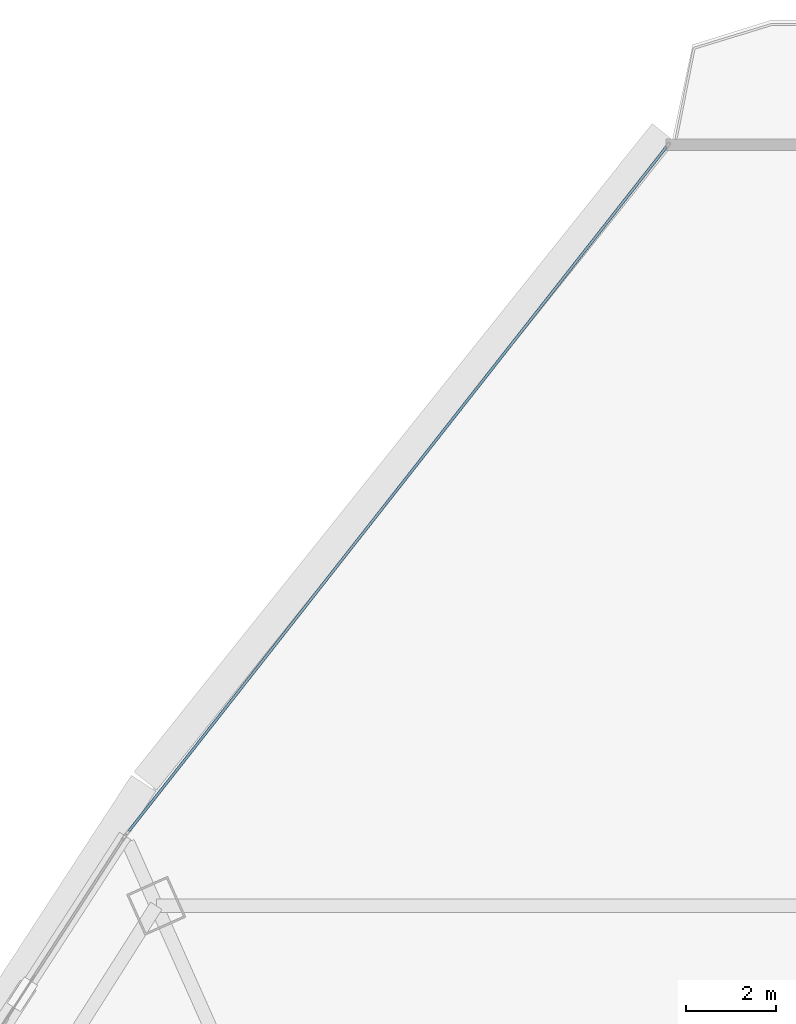
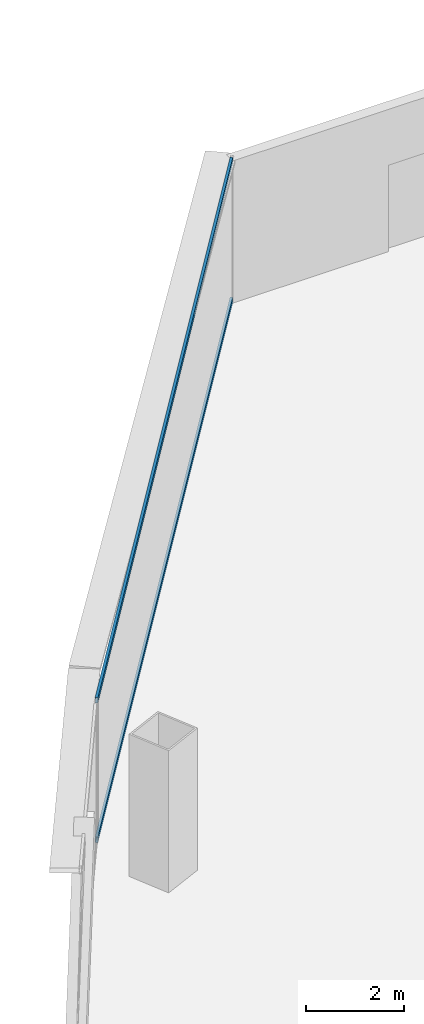
# One storey, part 25 of 36: 2 members, 1 element without a shape of its own.
"""IFC4 building model written with IfcOpenShell, lengths in metres."""

import ifcopenshell
import ifcopenshell.guid

model = None  # the IFC model being written
_history = None  # IfcOwnerHistory: only IFC2X3 demands one
_inside = {}  # id of a spatial element -> (the spatial element, [elements in it])
_under = {}  # id of a project, library or spatial element -> (it, [spatial elements below it])
_declared = {}  # id of a project -> (the project, [libraries it declares])
_typed = {}  # id of a type object -> (the type object, [elements of that type])
_made_of = {}  # id of a material, layer set ... -> (it, [elements and type objects made of it])


def new_model(schema):
    """Start an empty IFC model of exactly this schema.

    Asked for "IFC4X3", IfcOpenShell would pick the latest addendum, in which some entities
    have other attributes; the version numbers below select the first issue.
    IFC2X3 requires an IfcOwnerHistory on every rooted entity: one is made here for all.
    """
    global model, _history
    if schema == "IFC4X3":
        model = ifcopenshell.file(schema_version=(4, 3, 0, 0))
    else:
        model = ifcopenshell.file(schema=schema)
    _inside.clear()
    _under.clear()
    _declared.clear()
    _typed.clear()
    _made_of.clear()
    _history = None
    if model.schema == "IFC2X3":
        org = make("IfcOrganization", Name="unknown")
        user = make(
            "IfcPersonAndOrganization",
            ThePerson=make("IfcPerson", FamilyName="unknown"),
            TheOrganization=org,
        )
        app = make(
            "IfcApplication",
            ApplicationDeveloper=org,
            Version="unknown",
            ApplicationFullName="unknown",
            ApplicationIdentifier="unknown",
        )
        _history = make(
            "IfcOwnerHistory",
            OwningUser=user,
            OwningApplication=app,
            ChangeAction="ADDED",
            CreationDate=0,
        )
    return model


def make(cls, **values):
    """One entity of the class cls with the attributes given. An attribute that is None is left unset."""
    return model.create_entity(
        cls, **{name: value for name, value in values.items() if value is not None}
    )


def rooted(cls, **values):
    """An entity with a GlobalId (a new one), such as an element, a storey or a relation."""
    return make(cls, GlobalId=ifcopenshell.guid.new(), OwnerHistory=_history, **values)


def si_unit(unit_type, name, prefix=None):
    """IfcSIUnit, for example si_unit("LENGTHUNIT", "METRE", prefix="MILLI")."""
    return make("IfcSIUnit", UnitType=unit_type, Prefix=prefix, Name=name)


def assignment(units):
    """IfcUnitAssignment: the units of a project."""
    return None if units is None else make("IfcUnitAssignment", Units=units)


def point(xyz):
    """IfcCartesianPoint."""
    return None if xyz is None else make("IfcCartesianPoint", Coordinates=xyz)


def direction(xyz):
    """IfcDirection."""
    return None if xyz is None else make("IfcDirection", DirectionRatios=xyz)


def frame(location, z_axis=None, x_axis=None):
    """IfcAxis2Placement3D, a coordinate frame: its origin and axes. An axis left out is left unset."""
    return make(
        "IfcAxis2Placement3D",
        Location=point(location),
        Axis=direction(z_axis),
        RefDirection=direction(x_axis),
    )


def frame_2d(location, x_axis=None):
    """IfcAxis2Placement2D, a coordinate frame in the plane: its origin and x axis."""
    return make(
        "IfcAxis2Placement2D", Location=point(location), RefDirection=direction(x_axis)
    )


def origin():
    """The frame at (0, 0, 0) with its axes left unset."""
    return frame((0.0, 0.0, 0.0))


def origin_2d():
    """The frame at (0, 0) in the plane with its x axis left unset."""
    return frame_2d((0.0, 0.0))


def place(relative_to, where):
    """IfcLocalPlacement: puts the frame where relative to a parent placement (None: the world)."""
    return make(
        "IfcLocalPlacement", PlacementRelTo=relative_to, RelativePlacement=where
    )


def context(
    kind, dimensions, precision=None, world=None, true_north=None, identifier=None
):
    """IfcGeometricRepresentationContext, for example the 3D "Model" context."""
    return make(
        "IfcGeometricRepresentationContext",
        ContextIdentifier=identifier,
        ContextType=kind,
        CoordinateSpaceDimension=dimensions,
        Precision=precision,
        WorldCoordinateSystem=world,
        TrueNorth=true_north,
    )


def subcontext(parent, identifier, kind, view, scale=None):
    """IfcGeometricRepresentationSubContext, for example "Body" below "Model"."""
    return make(
        "IfcGeometricRepresentationSubContext",
        ContextIdentifier=identifier,
        ContextType=kind,
        ParentContext=parent,
        TargetScale=scale,
        TargetView=view,
    )


def project(units=None, contexts=None):
    """IfcProject with its units and contexts."""
    return rooted(
        "IfcProject",
        Name="project",
        RepresentationContexts=contexts,
        UnitsInContext=assignment(units),
    )


def spatial(cls, under=None, at=None, **own):
    """A site, building, storey or space (cls), placed at a placement, below another one or the project."""
    s = rooted(cls, ObjectPlacement=at, **own)
    if under is not None:
        _under.setdefault(under.id(), (under, []))[1].append(s)
    return s


def profile(cls, at=None, kind="AREA", **sizes):
    """A parametric profile (cls). Its sizes go by their IFC names, for example OverallWidth=200.0."""
    return make(cls, ProfileType=kind, Position=at, **sizes)


def hollow_rectangle(**sizes):
    """IfcRectangleHollowProfileDef."""
    return profile("IfcRectangleHollowProfileDef", **sizes)


def extrude(swept, where, along, depth):
    """IfcExtrudedAreaSolid: the profile swept, set in the frame where, extruded along a direction by depth."""
    return make(
        "IfcExtrudedAreaSolid",
        SweptArea=swept,
        Position=where,
        ExtrudedDirection=direction(along),
        Depth=depth,
    )


def shape(context_of_items, identifier, shape_type, items):
    """IfcShapeRepresentation: the items that make up one representation, for example the "Body"."""
    return make(
        "IfcShapeRepresentation",
        ContextOfItems=context_of_items,
        RepresentationIdentifier=identifier,
        RepresentationType=shape_type,
        Items=items,
    )


def source(mapping_origin, context_of_items, identifier, shape_type, items):
    """IfcRepresentationMap: a shape defined once, which mapped items show again and again."""
    return make(
        "IfcRepresentationMap",
        MappingOrigin=mapping_origin,
        MappedRepresentation=shape(context_of_items, identifier, shape_type, items),
    )


def transform(
    local_origin,
    x_axis=None,
    y_axis=None,
    z_axis=None,
    scale=None,
    scale2=None,
    scale3=None,
    uniform=True,
):
    """IfcCartesianTransformationOperator3D, or its non-uniform kind. x_axis, y_axis, z_axis: its Axis1, 2, 3."""
    if uniform:
        return make(
            "IfcCartesianTransformationOperator3D",
            Axis1=direction(x_axis),
            Axis2=direction(y_axis),
            LocalOrigin=point(local_origin),
            Scale=scale,
            Axis3=direction(z_axis),
        )
    return make(
        "IfcCartesianTransformationOperator3DnonUniform",
        Axis1=direction(x_axis),
        Axis2=direction(y_axis),
        LocalOrigin=point(local_origin),
        Scale=scale,
        Axis3=direction(z_axis),
        Scale2=scale2,
        Scale3=scale3,
    )


def mapped(mapping_source, mapping_target):
    """IfcMappedItem: shows the shape of a source again, moved by a transform."""
    return make(
        "IfcMappedItem", MappingSource=mapping_source, MappingTarget=mapping_target
    )


def material(Name=None, Category=None):
    """IfcMaterial."""
    return make("IfcMaterial", Name=Name, Category=Category)


def layer(
    of_material, thickness, ventilated=None, Name=None, Category=None, Priority=None
):
    """IfcMaterialLayer: one layer of a wall or slab, of a material (None: an air gap)."""
    return make(
        "IfcMaterialLayer",
        Material=of_material,
        LayerThickness=thickness,
        IsVentilated=ventilated,
        Name=Name,
        Category=Category,
        Priority=Priority,
    )


def layer_set(layers, Name=None):
    """IfcMaterialLayerSet."""
    return make("IfcMaterialLayerSet", MaterialLayers=layers, LayerSetName=Name)


def material_profile(
    of_material, cross_section, Name=None, Category=None, Priority=None
):
    """IfcMaterialProfile: a cross section and its material."""
    return make(
        "IfcMaterialProfile",
        Name=Name,
        Material=of_material,
        Profile=cross_section,
        Priority=Priority,
        Category=Category,
    )


def profile_set(profiles, Name=None, composite=None):
    """IfcMaterialProfileSet."""
    return make(
        "IfcMaterialProfileSet",
        Name=Name,
        MaterialProfiles=profiles,
        CompositeProfile=composite,
    )


def made_of(thing, what):
    """Note that an element or type object is made of a material, layer set ...; save() writes the relation."""
    if what is not None:
        _made_of.setdefault(what.id(), (what, []))[1].append(thing)
    return thing


def type_object(cls, material=None, **own):
    """A type object (cls), such as IfcWallType, which elements share."""
    return made_of(rooted(cls, **own), material)


def element(
    cls,
    number,
    at=None,
    inside=None,
    cuts=None,
    type_object=None,
    material=None,
    context=None,
    identifier="Body",
    shape_type=None,
    held_by="IfcProductDefinitionShape",
    body=None,
    shapes=None,
    **own,
):
    """One element of the class cls, such as IfcWall. Its Tag is "e" and its number.

    at: its placement. inside: the storey or other place that contains it. cuts: it is an
    opening in that element (IfcRelVoidsElement). A single representation is given by context,
    identifier, shape_type and body (its items); several are given by shapes. held_by: the class
    of the entity that holds the representations. save() writes the other relations.
    """
    e = rooted(cls, Tag="e%d" % number, ObjectPlacement=at, **own)
    if body is not None:
        shapes = [shape(context, identifier, shape_type, body)]
    if shapes is not None:
        e.Representation = make(held_by, Representations=shapes)
    if inside is not None:
        _inside.setdefault(inside.id(), (inside, []))[1].append(e)
    if cuts is not None:
        rooted(
            "IfcRelVoidsElement", RelatingBuildingElement=cuts, RelatedOpeningElement=e
        )
    if type_object is not None:
        _typed.setdefault(type_object.id(), (type_object, []))[1].append(e)
    return made_of(e, material)


def aggregate(whole, parts):
    """IfcRelAggregates: a whole, such as a stair, and the parts it consists of."""
    return rooted("IfcRelAggregates", RelatingObject=whole, RelatedObjects=parts)


def save(model, path):
    """Write the relations noted so far, then the file.

    IfcRelAggregates (storeys below a building ...), IfcRelContainedInSpatialStructure (elements
    in a storey), IfcRelDefinesByType, IfcRelAssociatesMaterial and IfcRelDeclares: one each for
    every whole, place, type object, material and project.
    """
    for whole, parts in _under.values():
        aggregate(whole, parts)
    for where, things in _inside.values():
        rooted(
            "IfcRelContainedInSpatialStructure",
            RelatedElements=things,
            RelatingStructure=where,
        )
    for kind, things in _typed.values():
        rooted("IfcRelDefinesByType", RelatedObjects=things, RelatingType=kind)
    for what, things in _made_of.values():
        rooted("IfcRelAssociatesMaterial", RelatedObjects=things, RelatingMaterial=what)
    for by, libraries in _declared.values():
        rooted("IfcRelDeclares", RelatingContext=by, RelatedDefinitions=libraries)
    model.write(path)


model = new_model("IFC4")

# Units and contexts
model_context = context("Model", 3, precision=1e-05, world=origin(), true_north=direction((0.0, 1.0)))
body_context = subcontext(model_context, "Body", "Model", "MODEL_VIEW")
ifc_project = project(units=[si_unit("LENGTHUNIT", "METRE"), si_unit("AREAUNIT", "SQUARE_METRE"), si_unit("VOLUMEUNIT", "CUBIC_METRE"), si_unit("PLANEANGLEUNIT", "RADIAN"), si_unit("MASSUNIT", "GRAM", prefix="KILO"), si_unit("THERMODYNAMICTEMPERATUREUNIT", "KELVIN"), si_unit("POWERUNIT", "WATT")], contexts=[model_context])

# Site, building, storey
site_placement = place(None, origin())
site = spatial("IfcSite", under=ifc_project, at=site_placement, CompositionType="ELEMENT")
building_placement = place(site_placement, origin())
building = spatial("IfcBuilding", under=site, at=building_placement, Name="Yunzhuo Pagoda Commons", CompositionType="ELEMENT")
storey_placement = place(building_placement, frame((0.0, 0.0, 103.97998046875)))
storey = spatial("IfcBuildingStorey", under=building, at=storey_placement, Name="L26", CompositionType="ELEMENT", Elevation=103.97998046875)

# Curtain wall, members
ifc_material = material(Name="Anodized aluminium 6063-T6", Category="aluminium")
ifc_layer = layer(ifc_material, 0.1650390625)
ifc_layer_set = layer_set([ifc_layer], Name="Anodized aluminium 6063-T6")
curtain_wall_type = type_object("IfcCurtainWallType", Name="CW-LOW Low-Zone Ribbon Curtain Wall", PredefinedType="NOTDEFINED", material=ifc_layer_set)
curtain_wall_placement = place(storey_placement, origin())
curtain_wall = element("IfcCurtainWall", 1, at=curtain_wall_placement, inside=storey, type_object=curtain_wall_type, Name="L26 curtain wall CW-L26-F3B1", PredefinedType="NOTDEFINED")
ifc_material_profile = material_profile(ifc_material, hollow_rectangle(XDim=0.06005859375, YDim=0.139892578125, WallThickness=0.00341796875, at=origin_2d()), Name="Anodized aluminium 6063-T6")
ifc_profile_set = profile_set([ifc_material_profile], Name="Anodized aluminium 6063-T6")
member_type = type_object("IfcMemberType", Name="CW-LOW-T Transom RHS 140x60x3.5", PredefinedType="USERDEFINED", material=ifc_profile_set)
shared_shape = source(origin(), body_context, "Body", "SweptSolid", [
    extrude(hollow_rectangle(XDim=0.06005859375, YDim=0.139892578125, WallThickness=0.00341796875, at=origin_2d()), origin(), (0.0, 0.0, 1.0), 19.41015625),
])
member_1_placement = place(storey_placement, frame((43.442626953125, 86.43798828125, 0.030029296875), z_axis=(-0.61784377149, -0.78630088009, 0.0), x_axis=(0.78630088009, -0.61784377149, 0.0)))
member_1 = element("IfcMember", 2, at=member_1_placement, type_object=member_type, Name="CW transom 1.1", ObjectType="TRANSOM", PredefinedType="USERDEFINED", context=body_context, shape_type="MappedRepresentation", body=[
    mapped(shared_shape, transform((0.0, 0.0, 0.0), scale=1.0)),
])
member_2_placement = place(storey_placement, frame((43.442626953125, 86.43798828125, 3.510009765625), z_axis=(-0.61784377149, -0.78630088009, 0.0), x_axis=(0.78630088009, -0.61784377149, 0.0)))
member_2 = element("IfcMember", 3, at=member_2_placement, type_object=member_type, Name="CW transom 1.2", ObjectType="TRANSOM", PredefinedType="USERDEFINED", context=body_context, shape_type="MappedRepresentation", body=[
    mapped(shared_shape, transform((0.0, 0.0, 0.0), scale=1.0)),
])
aggregate(curtain_wall, [member_1, member_2])

save(model, "model.ifc")
